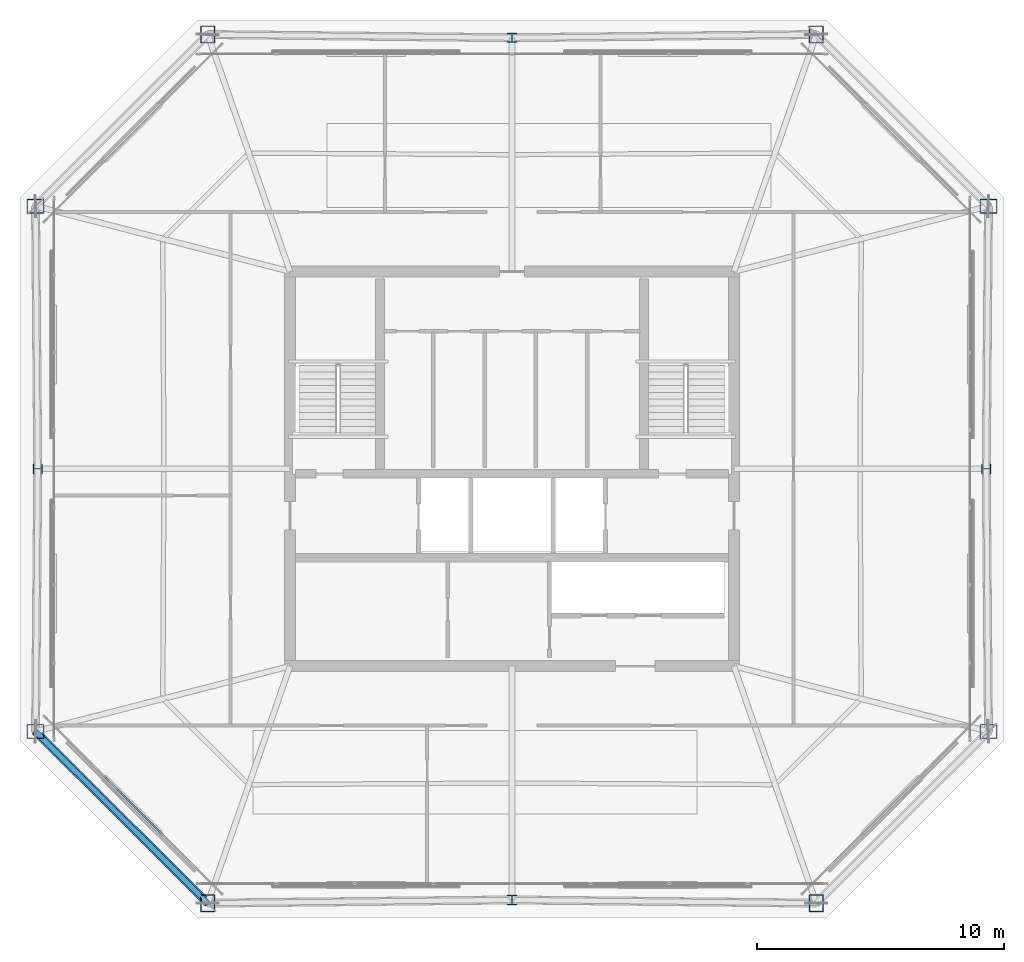
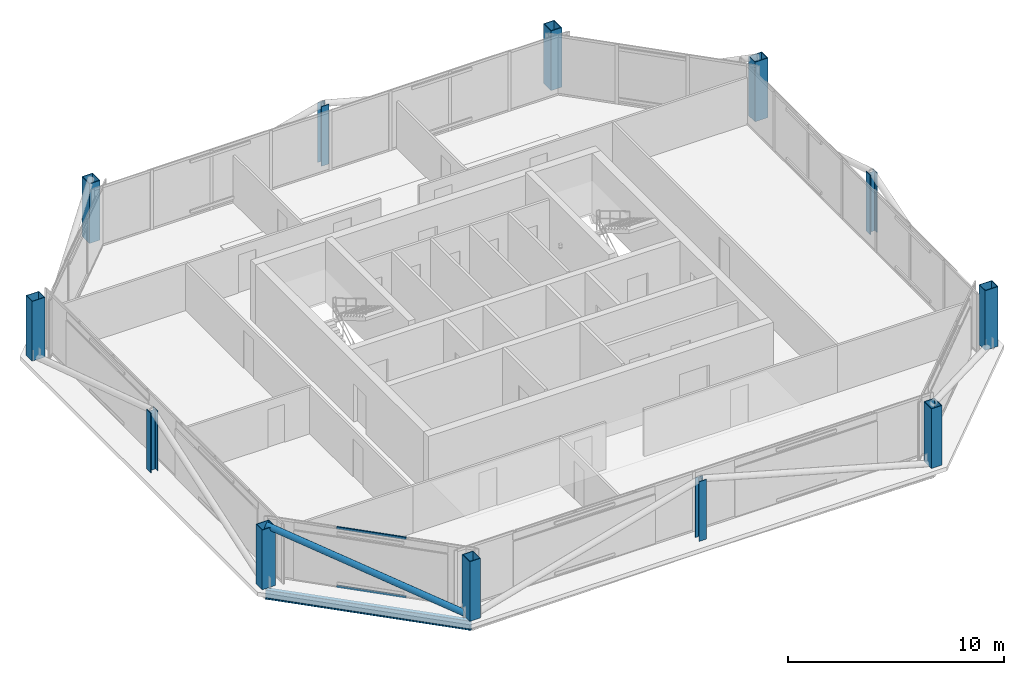
# One storey, part 1 of 26: 12 columns, 3 members, 1 beam, 1 element without a shape of its own.
"""IFC4 building model written with IfcOpenShell, lengths in metres."""

import ifcopenshell
import ifcopenshell.guid

model = None  # the IFC model being written
_history = None  # IfcOwnerHistory: only IFC2X3 demands one
_inside = {}  # id of a spatial element -> (the spatial element, [elements in it])
_under = {}  # id of a project, library or spatial element -> (it, [spatial elements below it])
_declared = {}  # id of a project -> (the project, [libraries it declares])
_typed = {}  # id of a type object -> (the type object, [elements of that type])
_made_of = {}  # id of a material, layer set ... -> (it, [elements and type objects made of it])


def new_model(schema):
    """Start an empty IFC model of exactly this schema.

    Asked for "IFC4X3", IfcOpenShell would pick the latest addendum, in which some entities
    have other attributes; the version numbers below select the first issue.
    IFC2X3 requires an IfcOwnerHistory on every rooted entity: one is made here for all.
    """
    global model, _history
    if schema == "IFC4X3":
        model = ifcopenshell.file(schema_version=(4, 3, 0, 0))
    else:
        model = ifcopenshell.file(schema=schema)
    _inside.clear()
    _under.clear()
    _declared.clear()
    _typed.clear()
    _made_of.clear()
    _history = None
    if model.schema == "IFC2X3":
        org = make("IfcOrganization", Name="unknown")
        user = make(
            "IfcPersonAndOrganization",
            ThePerson=make("IfcPerson", FamilyName="unknown"),
            TheOrganization=org,
        )
        app = make(
            "IfcApplication",
            ApplicationDeveloper=org,
            Version="unknown",
            ApplicationFullName="unknown",
            ApplicationIdentifier="unknown",
        )
        _history = make(
            "IfcOwnerHistory",
            OwningUser=user,
            OwningApplication=app,
            ChangeAction="ADDED",
            CreationDate=0,
        )
    return model


def make(cls, **values):
    """One entity of the class cls with the attributes given. An attribute that is None is left unset."""
    return model.create_entity(
        cls, **{name: value for name, value in values.items() if value is not None}
    )


def rooted(cls, **values):
    """An entity with a GlobalId (a new one), such as an element, a storey or a relation."""
    return make(cls, GlobalId=ifcopenshell.guid.new(), OwnerHistory=_history, **values)


def si_unit(unit_type, name, prefix=None):
    """IfcSIUnit, for example si_unit("LENGTHUNIT", "METRE", prefix="MILLI")."""
    return make("IfcSIUnit", UnitType=unit_type, Prefix=prefix, Name=name)


def assignment(units):
    """IfcUnitAssignment: the units of a project."""
    return None if units is None else make("IfcUnitAssignment", Units=units)


def point(xyz):
    """IfcCartesianPoint."""
    return None if xyz is None else make("IfcCartesianPoint", Coordinates=xyz)


def direction(xyz):
    """IfcDirection."""
    return None if xyz is None else make("IfcDirection", DirectionRatios=xyz)


def frame(location, z_axis=None, x_axis=None):
    """IfcAxis2Placement3D, a coordinate frame: its origin and axes. An axis left out is left unset."""
    return make(
        "IfcAxis2Placement3D",
        Location=point(location),
        Axis=direction(z_axis),
        RefDirection=direction(x_axis),
    )


def frame_2d(location, x_axis=None):
    """IfcAxis2Placement2D, a coordinate frame in the plane: its origin and x axis."""
    return make(
        "IfcAxis2Placement2D", Location=point(location), RefDirection=direction(x_axis)
    )


def origin():
    """The frame at (0, 0, 0) with its axes left unset."""
    return frame((0.0, 0.0, 0.0))


def origin_2d():
    """The frame at (0, 0) in the plane with its x axis left unset."""
    return frame_2d((0.0, 0.0))


def place(relative_to, where):
    """IfcLocalPlacement: puts the frame where relative to a parent placement (None: the world)."""
    return make(
        "IfcLocalPlacement", PlacementRelTo=relative_to, RelativePlacement=where
    )


def context(
    kind, dimensions, precision=None, world=None, true_north=None, identifier=None
):
    """IfcGeometricRepresentationContext, for example the 3D "Model" context."""
    return make(
        "IfcGeometricRepresentationContext",
        ContextIdentifier=identifier,
        ContextType=kind,
        CoordinateSpaceDimension=dimensions,
        Precision=precision,
        WorldCoordinateSystem=world,
        TrueNorth=true_north,
    )


def subcontext(parent, identifier, kind, view, scale=None):
    """IfcGeometricRepresentationSubContext, for example "Body" below "Model"."""
    return make(
        "IfcGeometricRepresentationSubContext",
        ContextIdentifier=identifier,
        ContextType=kind,
        ParentContext=parent,
        TargetScale=scale,
        TargetView=view,
    )


def project(units=None, contexts=None):
    """IfcProject with its units and contexts."""
    return rooted(
        "IfcProject",
        Name="project",
        RepresentationContexts=contexts,
        UnitsInContext=assignment(units),
    )


def spatial(cls, under=None, at=None, **own):
    """A site, building, storey or space (cls), placed at a placement, below another one or the project."""
    s = rooted(cls, ObjectPlacement=at, **own)
    if under is not None:
        _under.setdefault(under.id(), (under, []))[1].append(s)
    return s


def profile(cls, at=None, kind="AREA", **sizes):
    """A parametric profile (cls). Its sizes go by their IFC names, for example OverallWidth=200.0."""
    return make(cls, ProfileType=kind, Position=at, **sizes)


def hollow_rectangle(**sizes):
    """IfcRectangleHollowProfileDef."""
    return profile("IfcRectangleHollowProfileDef", **sizes)


def hollow_circle(**sizes):
    """IfcCircleHollowProfileDef."""
    return profile("IfcCircleHollowProfileDef", **sizes)


def i_section(**sizes):
    """IfcIShapeProfileDef."""
    return profile("IfcIShapeProfileDef", **sizes)


def extrude(swept, where, along, depth):
    """IfcExtrudedAreaSolid: the profile swept, set in the frame where, extruded along a direction by depth."""
    return make(
        "IfcExtrudedAreaSolid",
        SweptArea=swept,
        Position=where,
        ExtrudedDirection=direction(along),
        Depth=depth,
    )


def shape(context_of_items, identifier, shape_type, items):
    """IfcShapeRepresentation: the items that make up one representation, for example the "Body"."""
    return make(
        "IfcShapeRepresentation",
        ContextOfItems=context_of_items,
        RepresentationIdentifier=identifier,
        RepresentationType=shape_type,
        Items=items,
    )


def material(Name=None, Category=None):
    """IfcMaterial."""
    return make("IfcMaterial", Name=Name, Category=Category)


def layer(
    of_material, thickness, ventilated=None, Name=None, Category=None, Priority=None
):
    """IfcMaterialLayer: one layer of a wall or slab, of a material (None: an air gap)."""
    return make(
        "IfcMaterialLayer",
        Material=of_material,
        LayerThickness=thickness,
        IsVentilated=ventilated,
        Name=Name,
        Category=Category,
        Priority=Priority,
    )


def layer_set(layers, Name=None):
    """IfcMaterialLayerSet."""
    return make("IfcMaterialLayerSet", MaterialLayers=layers, LayerSetName=Name)


def material_profile(
    of_material, cross_section, Name=None, Category=None, Priority=None
):
    """IfcMaterialProfile: a cross section and its material."""
    return make(
        "IfcMaterialProfile",
        Name=Name,
        Material=of_material,
        Profile=cross_section,
        Priority=Priority,
        Category=Category,
    )


def profile_set(profiles, Name=None, composite=None):
    """IfcMaterialProfileSet."""
    return make(
        "IfcMaterialProfileSet",
        Name=Name,
        MaterialProfiles=profiles,
        CompositeProfile=composite,
    )


def made_of(thing, what):
    """Note that an element or type object is made of a material, layer set ...; save() writes the relation."""
    if what is not None:
        _made_of.setdefault(what.id(), (what, []))[1].append(thing)
    return thing


def type_object(cls, material=None, **own):
    """A type object (cls), such as IfcWallType, which elements share."""
    return made_of(rooted(cls, **own), material)


def element(
    cls,
    number,
    at=None,
    inside=None,
    cuts=None,
    type_object=None,
    material=None,
    context=None,
    identifier="Body",
    shape_type=None,
    held_by="IfcProductDefinitionShape",
    body=None,
    shapes=None,
    **own,
):
    """One element of the class cls, such as IfcWall. Its Tag is "e" and its number.

    at: its placement. inside: the storey or other place that contains it. cuts: it is an
    opening in that element (IfcRelVoidsElement). A single representation is given by context,
    identifier, shape_type and body (its items); several are given by shapes. held_by: the class
    of the entity that holds the representations. save() writes the other relations.
    """
    e = rooted(cls, Tag="e%d" % number, ObjectPlacement=at, **own)
    if body is not None:
        shapes = [shape(context, identifier, shape_type, body)]
    if shapes is not None:
        e.Representation = make(held_by, Representations=shapes)
    if inside is not None:
        _inside.setdefault(inside.id(), (inside, []))[1].append(e)
    if cuts is not None:
        rooted(
            "IfcRelVoidsElement", RelatingBuildingElement=cuts, RelatedOpeningElement=e
        )
    if type_object is not None:
        _typed.setdefault(type_object.id(), (type_object, []))[1].append(e)
    return made_of(e, material)


def aggregate(whole, parts):
    """IfcRelAggregates: a whole, such as a stair, and the parts it consists of."""
    return rooted("IfcRelAggregates", RelatingObject=whole, RelatedObjects=parts)


def save(model, path):
    """Write the relations noted so far, then the file.

    IfcRelAggregates (storeys below a building ...), IfcRelContainedInSpatialStructure (elements
    in a storey), IfcRelDefinesByType, IfcRelAssociatesMaterial and IfcRelDeclares: one each for
    every whole, place, type object, material and project.
    """
    for whole, parts in _under.values():
        aggregate(whole, parts)
    for where, things in _inside.values():
        rooted(
            "IfcRelContainedInSpatialStructure",
            RelatedElements=things,
            RelatingStructure=where,
        )
    for kind, things in _typed.values():
        rooted("IfcRelDefinesByType", RelatedObjects=things, RelatingType=kind)
    for what, things in _made_of.values():
        rooted("IfcRelAssociatesMaterial", RelatedObjects=things, RelatingMaterial=what)
    for by, libraries in _declared.values():
        rooted("IfcRelDeclares", RelatingContext=by, RelatedDefinitions=libraries)
    model.write(path)


model = new_model("IFC4")

# Units and contexts
model_context = context("Model", 3, precision=1e-05, world=origin(), true_north=direction((0.0, 1.0)))
body_context = subcontext(model_context, "Body", "Model", "MODEL_VIEW")
ifc_project = project(units=[si_unit("LENGTHUNIT", "METRE"), si_unit("AREAUNIT", "SQUARE_METRE"), si_unit("VOLUMEUNIT", "CUBIC_METRE"), si_unit("PLANEANGLEUNIT", "RADIAN"), si_unit("MASSUNIT", "GRAM", prefix="KILO")], contexts=[model_context])

# Site, building, storey
site_placement = place(None, origin())
site = spatial("IfcSite", under=ifc_project, at=site_placement, CompositionType="ELEMENT")
building_placement = place(site_placement, origin())
building = spatial("IfcBuilding", under=site, at=building_placement, Name="Caelvoria Tower", CompositionType="ELEMENT")
storey_placement = place(building_placement, frame((0.0, 0.0, 239.39990234375)))
storey = spatial("IfcBuildingStorey", under=building, at=storey_placement, Name="L63", CompositionType="ELEMENT", Elevation=239.39990234375)

# Columns
ifc_material_1 = material(Name="Structural Steel ASTM A572 Gr.50", Category="steel")
ifc_material_profile_1 = material_profile(ifc_material_1, hollow_rectangle(XDim=0.580078125, YDim=0.699951171875, WallThickness=0.031982421875, at=origin_2d()), Name="Structural Steel ASTM A572 Gr.50")
ifc_profile_set_1 = profile_set([ifc_material_profile_1], Name="BOX700X580X32 - Structural Steel ASTM A572 Gr.50")
column_type_1 = type_object("IfcColumnType", Name="Mega Box Column 700x580x32", PredefinedType="COLUMN", material=ifc_profile_set_1)
for number, where, z_axis, x_axis, name in (
    (1, (33.6630859375, 14.3896484375, 0.0), (0.0, 0.0, 1.0), (1.0, 0.0, 0.0), "Perimeter Megaframe Column L63-P00"),
    (2, (58.3369140625, 14.3896484375, 0.0), (0.0, 0.0, 1.0), (1.0, 0.0, 0.0), "Perimeter Megaframe Column L63-P02"),
    (3, (65.319580078125, 21.34765625, 0.0), (0.0, 0.0, 1.0), (0.0, 1.0, 0.0), "Perimeter Megaframe Column L63-P03"),
    (4, (65.319580078125, 42.65234375, 0.0), (0.0, 0.0, 1.0), (0.0, 1.0, 0.0), "Perimeter Megaframe Column L63-P05"),
    (5, (58.3369140625, 49.6103515625, 0.0), (0.0, 0.0, 1.0), (1.0, 0.0, 0.0), "Perimeter Megaframe Column L63-P06"),
    (6, (33.6630859375, 49.6103515625, 0.0), (0.0, 0.0, 1.0), (1.0, 0.0, 0.0), "Perimeter Megaframe Column L63-P08"),
    (7, (26.680419921875, 42.65234375, 0.0), (0.0, 0.0, 1.0), (0.0, 1.0, 0.0), "Perimeter Megaframe Column L63-P09"),
    (8, (26.680419921875, 21.34765625, 0.0), (0.0, 0.0, 1.0), (0.0, 1.0, 0.0), "Perimeter Megaframe Column L63-P11"),
):
    element("IfcColumn", number, at=place(storey_placement, frame(where, z_axis=z_axis, x_axis=x_axis)), inside=storey, type_object=column_type_1, Name=name, PredefinedType="COLUMN", context=body_context, shape_type="SweptSolid", body=[
        extrude(hollow_rectangle(XDim=0.580078125, YDim=0.699951171875, WallThickness=0.031982421875, at=origin_2d()), origin(), (0.0, 0.0, 1.0), 3.373046875),
    ])
ifc_material_2 = material(Name="Structural Steel ASTM A992 Gr.50", Category="steel")
ifc_material_profile_2 = material_profile(ifc_material_2, i_section(OverallWidth=0.40087890625, OverallDepth=0.39892578125, WebThickness=0.02490234375, FlangeThickness=0.03955078125, FilletRadius=0.02490234375, at=origin_2d()), Name="Structural Steel ASTM A992 Gr.50")
ifc_profile_set_2 = profile_set([ifc_material_profile_2], Name="W360X314 - Structural Steel ASTM A992 Gr.50")
column_type_2 = type_object("IfcColumnType", Name="Upper Frame Column W360X314", PredefinedType="COLUMN", material=ifc_profile_set_2)
for number, where, z_axis, x_axis, name in (
    (9, (46.0, 14.52001953125, 0.0), (0.0, 0.0, 1.0), (1.0, 0.0, 0.0), "Perimeter Megaframe Column L63-P01"),
    (10, (65.22998046875, 32.0, 0.0), (0.0, 0.0, 1.0), (0.0, 1.0, 0.0), "Perimeter Megaframe Column L63-P04"),
    (11, (46.0, 49.47998046875, 0.0), (0.0, 0.0, 1.0), (1.0, 0.0, 0.0), "Perimeter Megaframe Column L63-P07"),
    (12, (26.77001953125, 32.0, 0.0), (0.0, 0.0, 1.0), (0.0, 1.0, 0.0), "Perimeter Megaframe Column L63-P10"),
):
    element("IfcColumn", number, at=place(storey_placement, frame(where, z_axis=z_axis, x_axis=x_axis)), inside=storey, type_object=column_type_2, Name=name, PredefinedType="COLUMN", context=body_context, shape_type="SweptSolid", body=[
        extrude(i_section(OverallWidth=0.40087890625, OverallDepth=0.39892578125, WebThickness=0.02490234375, FlangeThickness=0.03955078125, FilletRadius=0.02490234375, at=origin_2d()), origin(), (0.0, 0.0, 1.0), 3.373046875),
    ])

# Curtain wall, members
ifc_material_3 = material(Name="Anodised Bronze Aluminium and Low-E Glass", Category="aluminium")
ifc_layer = layer(ifc_material_3, 0.175048828125, Name="Anodised Bronze Aluminium and Low-E Glass")
ifc_layer_set = layer_set([ifc_layer], Name="CW System 4 High-Zone Tapered Crystal Facade - Anodised Bronze Aluminium and Low-E Glass")
curtain_wall_type = type_object("IfcCurtainWallType", Name="CW System 4 High-Zone Tapered Crystal Facade", PredefinedType="NOTDEFINED", material=ifc_layer_set)
curtain_wall_placement = place(storey_placement, origin())
curtain_wall = element("IfcCurtainWall", 13, at=curtain_wall_placement, inside=storey, type_object=curtain_wall_type, Name="CW-04 Curtain Wall L63-E7", PredefinedType="NOTDEFINED")
ifc_material_4 = material(Name="Anodised Bronze Architectural Aluminium", Category="aluminium")
ifc_material_profile_3 = material_profile(ifc_material_4, hollow_rectangle(XDim=0.06494140625, YDim=0.1298828125, WallThickness=0.00341796875, at=origin_2d()), Name="Anodised Bronze Architectural Aluminium")
ifc_profile_set_3 = profile_set([ifc_material_profile_3], Name="CW_TRAN_65X130 - Anodised Bronze Architectural Aluminium")
member_type_1 = type_object("IfcMemberType", Name="Curtain Wall Transom 65x130 Bronze Aluminium", PredefinedType="USERDEFINED", material=ifc_profile_set_3)
member_1_placement = place(storey_placement, frame((29.44873046875, 19.552734375, 0.03271484375), z_axis=(0.707106781187, -0.707106781187, 0.0), x_axis=(0.707106781187, 0.707106781187, 0.0)))
member_1 = element("IfcMember", 14, at=member_1_placement, type_object=member_type_1, Name="CW-04 transom 2.1", ObjectType="TRANSOM", PredefinedType="USERDEFINED", context=body_context, shape_type="SweptSolid", body=[
    extrude(hollow_rectangle(XDim=0.06494140625, YDim=0.1298828125, WallThickness=0.00341796875, at=origin_2d()), origin(), (0.0, 0.0, 1.0), 3.3291015625),
])
member_2_placement = place(storey_placement, frame((29.44873046875, 19.552734375, 3.342529296875), z_axis=(0.707106781187, -0.707106781187, 0.0), x_axis=(0.707106781187, 0.707106781187, 0.0)))
member_2 = element("IfcMember", 15, at=member_2_placement, type_object=member_type_1, Name="CW-04 transom 2.2", ObjectType="TRANSOM", PredefinedType="USERDEFINED", context=body_context, shape_type="SweptSolid", body=[
    extrude(hollow_rectangle(XDim=0.06494140625, YDim=0.1298828125, WallThickness=0.00341796875, at=origin_2d()), origin(), (0.0, 0.0, 1.0), 3.3291015625),
])
aggregate(curtain_wall, [member_1, member_2])

# Member
ifc_material_profile_4 = material_profile(ifc_material_1, hollow_circle(Radius=0.162109375, WallThickness=0.0126953125, at=origin_2d()), Name="Structural Steel ASTM A572 Gr.50")
ifc_profile_set_4 = profile_set([ifc_material_profile_4], Name="CHS324X12.7 - Structural Steel ASTM A572 Gr.50")
member_type_2 = type_object("IfcMemberType", Name="Summit Perimeter Mega Brace CHS324X12.7", PredefinedType="BRACE", material=ifc_profile_set_4)
member_3_placement = place(storey_placement, frame((33.6630859375, 14.3896484375, 0.0), z_axis=(-0.670165562834, 0.667798976986, 0.323917651153), x_axis=(-0.705854949612, -0.708356400486, 0.0)))
element("IfcMember", 16, at=member_3_placement, inside=storey, type_object=member_type_2, Name="Perimeter Chamfer Mega Brace L63 SW", PredefinedType="BRACE", context=body_context, shape_type="SweptSolid", body=[
    extrude(hollow_circle(Radius=0.162109375, WallThickness=0.0126953125, at=origin_2d()), origin(), (0.0, 0.0, 1.0), 10.41943359375),
])

# Beam
ifc_material_profile_5 = material_profile(ifc_material_2, i_section(OverallWidth=0.208984375, OverallDepth=0.532958984375, WebThickness=0.01025390625, FlangeThickness=0.015625, FilletRadius=0.01611328125, at=origin_2d()), Name="Structural Steel ASTM A992 Gr.50")
ifc_profile_set_5 = profile_set([ifc_material_profile_5], Name="W530X92 - Structural Steel ASTM A992 Gr.50")
beam_type = type_object("IfcBeamType", Name="Upper Zone Spandrel W530X92", PredefinedType="BEAM", material=ifc_profile_set_5)
beam_placement = place(storey_placement, frame((26.680419921875, 21.34765625, -0.491455078125), z_axis=(0.708356400486, -0.705854949612, 0.0), x_axis=(0.705854949612, 0.708356400486, 0.0)))
element("IfcBeam", 17, at=beam_placement, inside=storey, type_object=beam_type, Name="Perimeter Spandrel Girder L63-11", PredefinedType="BEAM", context=body_context, shape_type="SweptSolid", body=[
    extrude(i_section(OverallWidth=0.208984375, OverallDepth=0.532958984375, WebThickness=0.01025390625, FlangeThickness=0.015625, FilletRadius=0.01611328125, at=origin_2d()), origin(), (0.0, 0.0, 1.0), 9.857666015625),
])

save(model, "model.ifc")
